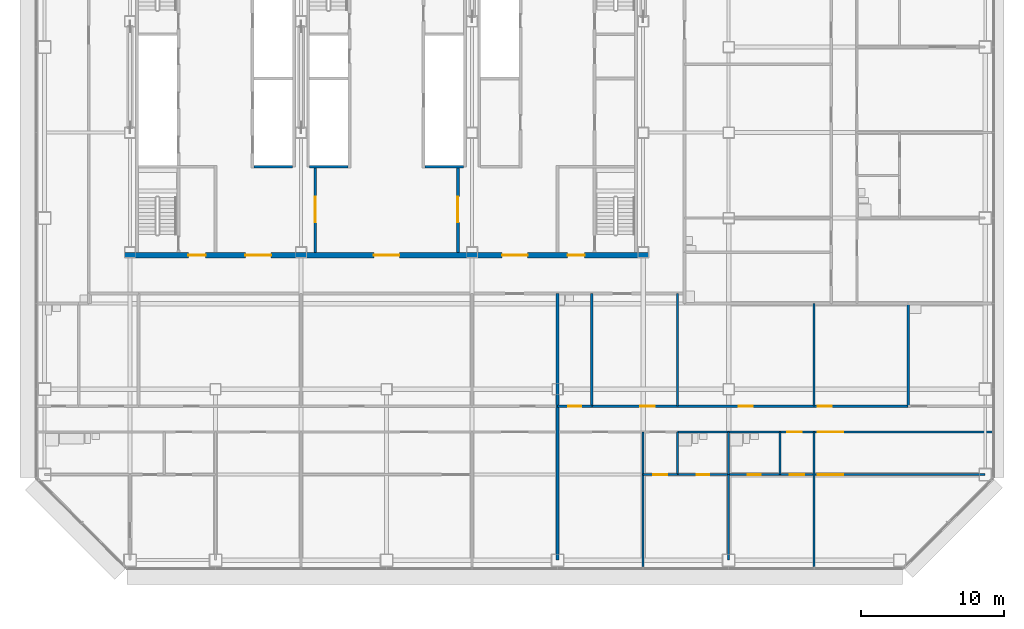
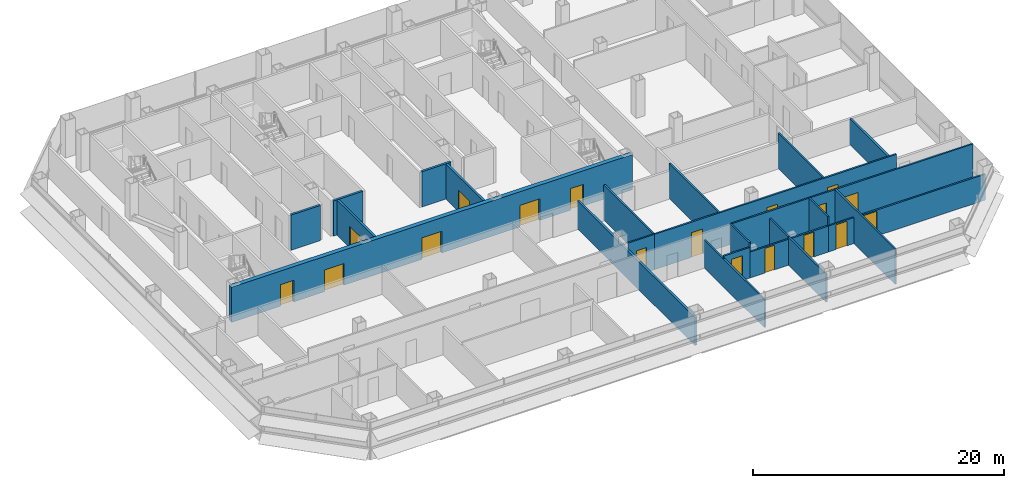
# One storey, part 21 of 27: 24 walls, 18 doors, 18 openings.
"""IFC4 building model written with IfcOpenShell, lengths in metres."""

from ifc_helpers import new_model, si_unit, direction, frame, frame_2d, origin, place, context, subcontext, project, spatial, rectangle, extrude, material, layer, layer_set, type_object, element, fill, save


model = new_model("IFC4")

# Units and contexts
model_context = context("Model", 3, precision=1e-05, world=origin(), true_north=direction((0.0, 1.0)))
body_context = subcontext(model_context, "Body", "Model", "MODEL_VIEW")
ifc_project = project(units=[si_unit("LENGTHUNIT", "METRE"), si_unit("AREAUNIT", "SQUARE_METRE"), si_unit("VOLUMEUNIT", "CUBIC_METRE"), si_unit("PLANEANGLEUNIT", "RADIAN"), si_unit("MASSUNIT", "GRAM", prefix="KILO")], contexts=[model_context])

# Site, building, storey
site_placement = place(None, origin())
site = spatial("IfcSite", under=ifc_project, at=site_placement, CompositionType="ELEMENT")
building_placement = place(site_placement, origin())
building = spatial("IfcBuilding", under=site, at=building_placement, Name="Sorahane Residences", CompositionType="ELEMENT")
storey_placement = place(building_placement, frame((0.0, 0.0, 53.39990234375)))
storey = spatial("IfcBuildingStorey", under=building, at=storey_placement, Name="L09", CompositionType="ELEMENT", Elevation=53.39990234375)

# Walls
ifc_material_1 = material(Name="Concrete blockwork C20 wall", Category="masonry")
ifc_layer_1 = layer(ifc_material_1, 0.199951171875)
ifc_layer_set_1 = layer_set([ifc_layer_1], Name="Kitchen wall 200 EI 180")
wall_type_1 = type_object("IfcWallType", Name="Kitchen wall 200 EI 180", PredefinedType="SOLIDWALL", material=ifc_layer_set_1)
wall_1_placement = place(storey_placement, frame((60.60009765625, 10.800048828125, 0.0), z_axis=(0.0, 0.0, 1.0), x_axis=(0.0, 1.0, 0.0)))
element("IfcWall", 1, at=wall_1_placement, inside=storey, type_object=wall_type_1, Name="L09 kitchen wall", PredefinedType="SOLIDWALL", context=body_context, shape_type="SweptSolid", body=[
    extrude(rectangle(XDim=7.199951171875, YDim=0.199951171875, at=frame_2d((3.60009765625, 0.0))), origin(), (0.0, 0.0, 1.0), 2.52001953125),
])
ifc_material_2 = material(Name="Concrete C30", Category="concrete")
ifc_layer_2 = layer(ifc_material_2, 0.199951171875)
ifc_layer_set_2 = layer_set([ifc_layer_2], Name="Lift shaft wall 200 EI 120")
wall_type_2 = type_object("IfcWallType", Name="Lift shaft wall 200 EI 120", PredefinedType="SOLIDWALL", material=ifc_layer_set_2)
for number, where, z_axis, x_axis, name in (
    (2, (14.699951171875, 27.60009765625, 0.0), (0.0, 0.0, 1.0), (1.0, 0.0, 0.0), "L09 lift shaft wall"),
    (3, (18.60009765625, 27.60009765625, 0.0), (0.0, 0.0, 1.0), (1.0, 0.0, 0.0), "L09 lift shaft wall"),
):
    element("IfcWall", number, at=place(storey_placement, frame(where, z_axis=z_axis, x_axis=x_axis)), inside=storey, type_object=wall_type_2, Name=name, PredefinedType="SOLIDWALL", context=body_context, shape_type="SweptSolid", body=[
        extrude(rectangle(XDim=2.699951171875, YDim=0.199951171875, at=frame_2d((1.35009765625, 0.0))), origin(), (0.0, 0.0, 1.0), 3.420166015625),
    ])
ifc_material_3 = material(Name="Gypsum board partition on steel studs", Category="steel")
ifc_layer_3 = layer(ifc_material_3, 0.14990234375)
ifc_layer_set_3 = layer_set([ifc_layer_3], Name="Partition 150 EI 90")
wall_type_3 = type_object("IfcWallType", Name="Partition 150 EI 90", PredefinedType="PARTITIONING", material=ifc_layer_set_3)
wall_2_placement = place(storey_placement, frame((42.0, -0.60009765625, 0.0), z_axis=(0.0, 0.0, 1.0), x_axis=(0.0, 1.0, 0.0)))
element("IfcWall", 4, at=wall_2_placement, inside=storey, type_object=wall_type_3, Name="L09 partition", PredefinedType="PARTITIONING", context=body_context, shape_type="SweptSolid", body=[
    extrude(rectangle(XDim=9.60009765625, YDim=0.14990234375, at=frame_2d((4.800048828125, 0.0))), origin(), (0.0, 0.0, 1.0), 2.72021484375),
])
wall_3_placement = place(storey_placement, frame((44.39990234375, 10.800048828125, 0.0), z_axis=(0.0, 0.0, 1.0), x_axis=(0.0, 1.0, 0.0)))
element("IfcWall", 5, at=wall_3_placement, inside=storey, type_object=wall_type_3, Name="L09 partition", PredefinedType="PARTITIONING", context=body_context, shape_type="SweptSolid", body=[
    extrude(rectangle(XDim=7.89990234375, YDim=0.14990234375, at=frame_2d((3.949951171875, 0.0))), origin(), (0.0, 0.0, 1.0), 3.420166015625),
])
wall_4_placement = place(storey_placement, frame((48.0, 0.0, 0.0), z_axis=(0.0, 0.0, 1.0), x_axis=(0.0, 1.0, 0.0)))
element("IfcWall", 6, at=wall_4_placement, inside=storey, type_object=wall_type_3, Name="L09 partition", PredefinedType="PARTITIONING", context=body_context, shape_type="SweptSolid", body=[
    extrude(rectangle(XDim=6.0, YDim=0.14990234375, at=frame_2d((3.0, 0.0))), origin(), (0.0, 0.0, 1.0), 2.72021484375),
])
wall_5_placement = place(storey_placement, frame((54.0, -0.60009765625, 0.0), z_axis=(0.0, 0.0, 1.0), x_axis=(0.0, 1.0, 0.0)))
element("IfcWall", 7, at=wall_5_placement, inside=storey, type_object=wall_type_3, Name="L09 partition", PredefinedType="PARTITIONING", context=body_context, shape_type="SweptSolid", body=[
    extrude(rectangle(XDim=9.60009765625, YDim=0.14990234375, at=frame_2d((4.800048828125, 0.0))), origin(), (0.0, 0.0, 1.0), 3.420166015625),
])
wall_6_placement = place(storey_placement, frame((54.0, 10.800048828125, 0.0), z_axis=(0.0, 0.0, 1.0), x_axis=(0.0, 1.0, 0.0)))
element("IfcWall", 8, at=wall_6_placement, inside=storey, type_object=wall_type_3, Name="L09 partition", PredefinedType="PARTITIONING", context=body_context, shape_type="SweptSolid", body=[
    extrude(rectangle(XDim=7.199951171875, YDim=0.14990234375, at=frame_2d((3.60009765625, 0.0))), origin(), (0.0, 0.0, 1.0), 3.420166015625),
])

# Wall, openings, doors
wall_7_placement = place(storey_placement, frame((38.39990234375, 10.800048828125, 0.0), z_axis=(0.0, 0.0, 1.0), x_axis=(1.0, 0.0, 0.0)))
wall_7 = element("IfcWall", 9, at=wall_7_placement, inside=storey, type_object=wall_type_3, Name="L09 partition", PredefinedType="PARTITIONING", context=body_context, shape_type="SweptSolid", body=[
    extrude(rectangle(XDim=22.2001953125, YDim=0.14990234375, at=frame_2d((11.10009765625, 0.0))), origin(), (0.0, 0.0, 1.0), 3.420166015625),
])
opening_1_placement = place(wall_7_placement, frame((3.39990234375, 0.0, 0.0)))
opening_1 = element("IfcOpeningElement", 10, at=opening_1_placement, cuts=wall_7, Name="Opening L09-14", PredefinedType="OPENING", context=body_context, shape_type="SweptSolid", body=[
    extrude(rectangle(XDim=1.0, YDim=2.39990234375, at=frame_2d((0.5, 1.199951171875))), frame((0.0, 0.0849609375, 0.0), z_axis=(0.0, -1.0, 0.0), x_axis=(1.0, 0.0, 0.0)), (0.0, 0.0, 1.0), 0.169921875),
])
opening_2_placement = place(wall_7_placement, frame((10.300048828125, 0.0, 0.0)))
opening_2 = element("IfcOpeningElement", 11, at=opening_2_placement, cuts=wall_7, Name="Opening L09-16", PredefinedType="OPENING", context=body_context, shape_type="SweptSolid", body=[
    extrude(rectangle(XDim=1.0, YDim=2.39990234375, at=frame_2d((0.5, 1.199951171875))), frame((0.0, 0.0849609375, 0.0), z_axis=(0.0, -1.0, 0.0), x_axis=(1.0, 0.0, 0.0)), (0.0, 0.0, 1.0), 0.169921875),
])
opening_3_placement = place(wall_7_placement, frame((15.85009765625, 0.0, 0.0)))
opening_3 = element("IfcOpeningElement", 12, at=opening_3_placement, cuts=wall_7, Name="Opening L09-17", PredefinedType="OPENING", context=body_context, shape_type="SweptSolid", body=[
    extrude(rectangle(XDim=1.0, YDim=2.39990234375, at=frame_2d((0.5, 1.199951171875))), frame((0.0, 0.0849609375, 0.0), z_axis=(0.0, -1.0, 0.0), x_axis=(1.0, 0.0, 0.0)), (0.0, 0.0, 1.0), 0.169921875),
])
ifc_material_4 = material(Name="Timber veneered fire door", Category="wood")
door_type_1 = type_object("IfcDoorType", Name="Room door 1000x2400 FD30", OperationType="NOTDEFINED", PredefinedType="DOOR", material=ifc_material_4)
door_1_placement = place(opening_1_placement, frame((1.0, 0.0, 0.0), z_axis=(0.0, 0.0, 1.0), x_axis=(-1.0, 0.0, 0.0)))
door_1 = element("IfcDoor", 13, at=door_1_placement, inside=storey, type_object=door_type_1, Name="Room door L09-14", OperationType="SINGLE_SWING_RIGHT", OverallHeight=2.39990234375, OverallWidth=1.0, PredefinedType="DOOR", context=body_context, shape_type="SweptSolid", body=[
    extrude(rectangle(XDim=1.0, YDim=2.39990234375, at=frame_2d((0.5, 1.199951171875))), frame((0.0, 0.02490234375, 0.0), z_axis=(0.0, -1.0, 0.0), x_axis=(1.0, 0.0, 0.0)), (0.0, 0.0, 1.0), 0.050048828125),
])
fill(opening_1, door_1)
door_2_placement = place(opening_2_placement, origin())
door_2 = element("IfcDoor", 14, at=door_2_placement, inside=storey, type_object=door_type_1, Name="Room door L09-16", OperationType="SINGLE_SWING_LEFT", OverallHeight=2.39990234375, OverallWidth=1.0, PredefinedType="DOOR", context=body_context, shape_type="SweptSolid", body=[
    extrude(rectangle(XDim=1.0, YDim=2.39990234375, at=frame_2d((0.5, 1.199951171875))), frame((0.0, 0.02490234375, 0.0), z_axis=(0.0, -1.0, 0.0), x_axis=(1.0, 0.0, 0.0)), (0.0, 0.0, 1.0), 0.050048828125),
])
fill(opening_2, door_2)
door_3_placement = place(opening_3_placement, origin())
door_3 = element("IfcDoor", 15, at=door_3_placement, inside=storey, type_object=door_type_1, Name="Room door L09-17", OperationType="SINGLE_SWING_RIGHT", OverallHeight=2.39990234375, OverallWidth=1.0, PredefinedType="DOOR", context=body_context, shape_type="SweptSolid", body=[
    extrude(rectangle(XDim=1.0, YDim=2.39990234375, at=frame_2d((0.5, 1.199951171875))), frame((0.0, 0.02490234375, 0.0), z_axis=(0.0, -1.0, 0.0), x_axis=(1.0, 0.0, 0.0)), (0.0, 0.0, 1.0), 0.050048828125),
])
fill(opening_3, door_3)

# Wall, opening, door
wall_8_placement = place(storey_placement, frame((42.0, 6.0, 0.0), z_axis=(0.0, 0.0, 1.0), x_axis=(1.0, 0.0, 0.0)))
wall_8 = element("IfcWall", 16, at=wall_8_placement, inside=storey, type_object=wall_type_3, Name="L09 partition", PredefinedType="PARTITIONING", context=body_context, shape_type="SweptSolid", body=[
    extrude(rectangle(XDim=2.39990234375, YDim=0.14990234375, at=frame_2d((1.199951171875, 0.0))), origin(), (0.0, 0.0, 1.0), 2.97021484375),
])
opening_4_placement = place(wall_8_placement, frame((0.699951171875, 0.0, 0.0)))
opening_4 = element("IfcOpeningElement", 17, at=opening_4_placement, cuts=wall_8, Name="Opening L09-23", PredefinedType="OPENING", context=body_context, shape_type="SweptSolid", body=[
    extrude(rectangle(XDim=1.0, YDim=2.39990234375, at=frame_2d((0.5, 1.199951171875))), frame((0.0, 0.0849609375, 0.0), z_axis=(0.0, -1.0, 0.0), x_axis=(1.0, 0.0, 0.0)), (0.0, 0.0, 1.0), 0.169921875),
])
door_4_placement = place(opening_4_placement, frame((1.0, 0.0, 0.0), z_axis=(0.0, 0.0, 1.0), x_axis=(-1.0, 0.0, 0.0)))
door_4 = element("IfcDoor", 18, at=door_4_placement, inside=storey, type_object=door_type_1, Name="Room door L09-23", OperationType="SINGLE_SWING_RIGHT", OverallHeight=2.39990234375, OverallWidth=1.0, PredefinedType="DOOR", context=body_context, shape_type="SweptSolid", body=[
    extrude(rectangle(XDim=1.0, YDim=2.39990234375, at=frame_2d((0.5, 1.199951171875))), frame((0.0, 0.02490234375, 0.0), z_axis=(0.0, -1.0, 0.0), x_axis=(1.0, 0.0, 0.0)), (0.0, 0.0, 1.0), 0.050048828125),
])
fill(opening_4, door_4)

# Wall, openings, doors
wall_9_placement = place(storey_placement, frame((51.60009765625, 6.0, 0.0), z_axis=(0.0, 0.0, 1.0), x_axis=(1.0, 0.0, 0.0)))
wall_9 = element("IfcWall", 19, at=wall_9_placement, inside=storey, type_object=wall_type_3, Name="L09 partition", PredefinedType="PARTITIONING", context=body_context, shape_type="SweptSolid", body=[
    extrude(rectangle(XDim=14.39990234375, YDim=0.14990234375, at=frame_2d((7.199951171875, 0.0))), origin(), (0.0, 0.0, 1.0), 2.52001953125),
])
opening_5_placement = place(wall_9_placement, frame((0.699951171875, 0.0, 0.0)))
opening_5 = element("IfcOpeningElement", 20, at=opening_5_placement, cuts=wall_9, Name="Opening L09-25", PredefinedType="OPENING", context=body_context, shape_type="SweptSolid", body=[
    extrude(rectangle(XDim=1.0, YDim=2.39990234375, at=frame_2d((0.5, 1.199951171875))), frame((0.0, 0.0849609375, 0.0), z_axis=(0.0, -1.0, 0.0), x_axis=(1.0, 0.0, 0.0)), (0.0, 0.0, 1.0), 0.169921875),
])
opening_6_placement = place(wall_9_placement, frame((2.64990234375, 0.0, 0.0)))
opening_6 = element("IfcOpeningElement", 21, at=opening_6_placement, cuts=wall_9, Name="Opening L09-27", PredefinedType="OPENING", context=body_context, shape_type="SweptSolid", body=[
    extrude(rectangle(XDim=1.800048828125, YDim=2.39990234375, at=frame_2d((0.89990234375, 1.199951171875))), frame((0.0, 0.0849609375, 0.0), z_axis=(0.0, -1.0, 0.0), x_axis=(1.0, 0.0, 0.0)), (0.0, 0.0, 1.0), 0.169921875),
])
ifc_material_5 = material(Name="Timber veneered fire door", Category="wood")
door_type_2 = type_object("IfcDoorType", Name="Double door 1800x2400 FD30", OperationType="NOTDEFINED", PredefinedType="DOOR", material=ifc_material_5)
door_5_placement = place(opening_6_placement, frame((1.800048828125, 0.0, 0.0), z_axis=(0.0, 0.0, 1.0), x_axis=(-1.0, 0.0, 0.0)))
door_5 = element("IfcDoor", 22, at=door_5_placement, inside=storey, type_object=door_type_2, Name="Double door L09-27", OperationType="SINGLE_SWING_RIGHT", OverallHeight=2.39990234375, OverallWidth=1.800048828125, PredefinedType="DOOR", context=body_context, shape_type="SweptSolid", body=[
    extrude(rectangle(XDim=1.800048828125, YDim=2.39990234375, at=frame_2d((0.89990234375, 1.199951171875))), frame((0.0, 0.02490234375, 0.0), z_axis=(0.0, -1.0, 0.0), x_axis=(1.0, 0.0, 0.0)), (0.0, 0.0, 1.0), 0.050048828125),
])
fill(opening_6, door_5)
door_6_placement = place(opening_5_placement, frame((1.0, 0.0, 0.0), z_axis=(0.0, 0.0, 1.0), x_axis=(-1.0, 0.0, 0.0)))
door_6 = element("IfcDoor", 23, at=door_6_placement, inside=storey, type_object=door_type_1, Name="Room door L09-25", OperationType="SINGLE_SWING_RIGHT", OverallHeight=2.39990234375, OverallWidth=1.0, PredefinedType="DOOR", context=body_context, shape_type="SweptSolid", body=[
    extrude(rectangle(XDim=1.0, YDim=2.39990234375, at=frame_2d((0.5, 1.199951171875))), frame((0.0, 0.02490234375, 0.0), z_axis=(0.0, -1.0, 0.0), x_axis=(1.0, 0.0, 0.0)), (0.0, 0.0, 1.0), 0.050048828125),
])
fill(opening_5, door_6)

wall_10_placement = place(storey_placement, frame((51.60009765625, 9.0, 0.0), z_axis=(0.0, 0.0, 1.0), x_axis=(1.0, 0.0, 0.0)))
wall_10 = element("IfcWall", 24, at=wall_10_placement, inside=storey, type_object=wall_type_3, Name="L09 partition", PredefinedType="PARTITIONING", context=body_context, shape_type="SweptSolid", body=[
    extrude(rectangle(XDim=15.0, YDim=0.14990234375, at=frame_2d((7.5, 0.0))), origin(), (0.0, 0.0, 1.0), 3.420166015625),
])
opening_7_placement = place(wall_10_placement, frame((0.52001953125, 0.0, 0.0)))
opening_7 = element("IfcOpeningElement", 25, at=opening_7_placement, cuts=wall_10, Name="Opening L09-21", PredefinedType="OPENING", context=body_context, shape_type="SweptSolid", body=[
    extrude(rectangle(XDim=1.0, YDim=2.39990234375, at=frame_2d((0.5, 1.199951171875))), frame((0.0, 0.0849609375, 0.0), z_axis=(0.0, -1.0, 0.0), x_axis=(1.0, 0.0, 0.0)), (0.0, 0.0, 1.0), 0.169921875),
])
opening_8_placement = place(wall_10_placement, frame((2.64990234375, 0.0, 0.0)))
opening_8 = element("IfcOpeningElement", 26, at=opening_8_placement, cuts=wall_10, Name="Opening L09-22", PredefinedType="OPENING", context=body_context, shape_type="SweptSolid", body=[
    extrude(rectangle(XDim=1.800048828125, YDim=2.39990234375, at=frame_2d((0.89990234375, 1.199951171875))), frame((0.0, 0.0849609375, 0.0), z_axis=(0.0, -1.0, 0.0), x_axis=(1.0, 0.0, 0.0)), (0.0, 0.0, 1.0), 0.169921875),
])
door_7_placement = place(opening_8_placement, frame((1.800048828125, 0.0, 0.0), z_axis=(0.0, 0.0, 1.0), x_axis=(-1.0, 0.0, 0.0)))
door_7 = element("IfcDoor", 27, at=door_7_placement, inside=storey, type_object=door_type_2, Name="Double door L09-22", OperationType="SINGLE_SWING_LEFT", OverallHeight=2.39990234375, OverallWidth=1.800048828125, PredefinedType="DOOR", context=body_context, shape_type="SweptSolid", body=[
    extrude(rectangle(XDim=1.800048828125, YDim=2.39990234375, at=frame_2d((0.89990234375, 1.199951171875))), frame((0.0, 0.02490234375, 0.0), z_axis=(0.0, -1.0, 0.0), x_axis=(1.0, 0.0, 0.0)), (0.0, 0.0, 1.0), 0.050048828125),
])
fill(opening_8, door_7)
door_8_placement = place(opening_7_placement, frame((1.0, 0.0, 0.0), z_axis=(0.0, 0.0, 1.0), x_axis=(-1.0, 0.0, 0.0)))
door_8 = element("IfcDoor", 28, at=door_8_placement, inside=storey, type_object=door_type_1, Name="Room door L09-21", OperationType="SINGLE_SWING_RIGHT", OverallHeight=2.39990234375, OverallWidth=1.0, PredefinedType="DOOR", context=body_context, shape_type="SweptSolid", body=[
    extrude(rectangle(XDim=1.0, YDim=2.39990234375, at=frame_2d((0.5, 1.199951171875))), frame((0.0, 0.02490234375, 0.0), z_axis=(0.0, -1.0, 0.0), x_axis=(1.0, 0.0, 0.0)), (0.0, 0.0, 1.0), 0.050048828125),
])
fill(opening_7, door_8)

# Walls
ifc_material_6 = material(Name="Concrete blockwork C20 wall", Category="masonry")
ifc_layer_4 = layer(ifc_material_6, 0.199951171875)
ifc_layer_set_4 = layer_set([ifc_layer_4], Name="Party wall 200 EI 120")
wall_type_4 = type_object("IfcWallType", Name="Party wall 200 EI 120", PredefinedType="SOLIDWALL", material=ifc_layer_set_4)
wall_11_placement = place(storey_placement, frame((36.0, 0.0, 0.0), z_axis=(0.0, 0.0, 1.0), x_axis=(0.0, 1.0, 0.0)))
element("IfcWall", 29, at=wall_11_placement, inside=storey, type_object=wall_type_4, Name="L09 party wall", PredefinedType="SOLIDWALL", context=body_context, shape_type="SweptSolid", body=[
    extrude(rectangle(XDim=18.699951171875, YDim=0.199951171875, at=frame_2d((9.35009765625, 0.0))), origin(), (0.0, 0.0, 1.0), 2.72021484375),
])
ifc_material_7 = material(Name="Concrete C30", Category="concrete")
ifc_layer_5 = layer(ifc_material_7, 0.199951171875)
ifc_layer_set_5 = layer_set([ifc_layer_5], Name="Riser shaft wall 200 EI 120")
wall_type_5 = type_object("IfcWallType", Name="Riser shaft wall 200 EI 120", PredefinedType="SOLIDWALL", material=ifc_layer_set_5)
wall_12_placement = place(storey_placement, frame((26.699951171875, 27.60009765625, 0.0), z_axis=(0.0, 0.0, 1.0), x_axis=(1.0, 0.0, 0.0)))
element("IfcWall", 30, at=wall_12_placement, inside=storey, type_object=wall_type_5, Name="L09 riser wall", PredefinedType="SOLIDWALL", context=body_context, shape_type="SweptSolid", body=[
    extrude(rectangle(XDim=2.699951171875, YDim=0.199951171875, at=frame_2d((1.35009765625, 0.0))), origin(), (0.0, 0.0, 1.0), 3.420166015625),
])

# Wall, opening, door
ifc_material_8 = material(Name="Concrete C30", Category="concrete")
ifc_layer_6 = layer(ifc_material_8, 0.199951171875)
ifc_layer_set_6 = layer_set([ifc_layer_6], Name="Service room partition 200 EI 60")
wall_type_6 = type_object("IfcWallType", Name="Service room partition 200 EI 60", PredefinedType="PARTITIONING", material=ifc_layer_set_6)
wall_13_placement = place(storey_placement, frame((19.0, 21.60009765625, 0.0), z_axis=(0.0, 0.0, 1.0), x_axis=(0.0, 1.0, 0.0)))
wall_13 = element("IfcWall", 31, at=wall_13_placement, inside=storey, type_object=wall_type_6, Name="L09 service room wall", PredefinedType="PARTITIONING", context=body_context, shape_type="SweptSolid", body=[
    extrude(rectangle(XDim=6.0, YDim=0.199951171875, at=frame_2d((3.0, 0.0))), origin(), (0.0, 0.0, 1.0), 3.420166015625),
])
opening_9_placement = place(wall_13_placement, frame((2.10009765625, 0.0, 0.0)))
opening_9 = element("IfcOpeningElement", 32, at=opening_9_placement, cuts=wall_13, Name="Opening L09-C02", PredefinedType="OPENING", context=body_context, shape_type="SweptSolid", body=[
    extrude(rectangle(XDim=1.800048828125, YDim=2.10009765625, at=frame_2d((0.89990234375, 1.050048828125))), frame((0.0, 0.10986328125, 0.0), z_axis=(0.0, -1.0, 0.0), x_axis=(1.0, 0.0, 0.0)), (0.0, 0.0, 1.0), 0.219970703125),
])
ifc_material_9 = material(Name="Steel", Category="steel")
door_type_3 = type_object("IfcDoorType", Name="Waiting hall door 1800x2100 FD60", OperationType="NOTDEFINED", PredefinedType="DOOR", material=ifc_material_9)
door_9_placement = place(opening_9_placement, origin())
door_9 = element("IfcDoor", 33, at=door_9_placement, inside=storey, type_object=door_type_3, Name="Waiting hall door Residents' waiting hall west L09", OperationType="SINGLE_SWING_LEFT", OverallHeight=2.10009765625, OverallWidth=1.800048828125, PredefinedType="DOOR", context=body_context, shape_type="SweptSolid", body=[
    extrude(rectangle(XDim=1.800048828125, YDim=2.10009765625, at=frame_2d((0.89990234375, 1.050048828125))), frame((0.0, 0.02490234375, 0.0), z_axis=(0.0, -1.0, 0.0), x_axis=(1.0, 0.0, 0.0)), (0.0, 0.0, 1.0), 0.050048828125),
])
fill(opening_9, door_9)

wall_14_placement = place(storey_placement, frame((29.0, 21.60009765625, 0.0), z_axis=(0.0, 0.0, 1.0), x_axis=(0.0, 1.0, 0.0)))
wall_14 = element("IfcWall", 34, at=wall_14_placement, inside=storey, type_object=wall_type_6, Name="L09 service room wall", PredefinedType="PARTITIONING", context=body_context, shape_type="SweptSolid", body=[
    extrude(rectangle(XDim=6.0, YDim=0.199951171875, at=frame_2d((3.0, 0.0))), origin(), (0.0, 0.0, 1.0), 3.420166015625),
])
opening_10_placement = place(wall_14_placement, frame((2.10009765625, 0.0, 0.0)))
opening_10 = element("IfcOpeningElement", 35, at=opening_10_placement, cuts=wall_14, Name="Opening L09-C04", PredefinedType="OPENING", context=body_context, shape_type="SweptSolid", body=[
    extrude(rectangle(XDim=1.800048828125, YDim=2.10009765625, at=frame_2d((0.89990234375, 1.050048828125))), frame((0.0, 0.10986328125, 0.0), z_axis=(0.0, -1.0, 0.0), x_axis=(1.0, 0.0, 0.0)), (0.0, 0.0, 1.0), 0.219970703125),
])
door_10_placement = place(opening_10_placement, origin())
door_10 = element("IfcDoor", 36, at=door_10_placement, inside=storey, type_object=door_type_3, Name="Waiting hall door Residents' waiting hall centre L09", OperationType="SINGLE_SWING_LEFT", OverallHeight=2.10009765625, OverallWidth=1.800048828125, PredefinedType="DOOR", context=body_context, shape_type="SweptSolid", body=[
    extrude(rectangle(XDim=1.800048828125, YDim=2.10009765625, at=frame_2d((0.89990234375, 1.050048828125))), frame((0.0, 0.02490234375, 0.0), z_axis=(0.0, -1.0, 0.0), x_axis=(1.0, 0.0, 0.0)), (0.0, 0.0, 1.0), 0.050048828125),
])
fill(opening_10, door_10)

# Wall, openings, doors
ifc_material_10 = material(Name="Concrete C30", Category="concrete")
ifc_layer_7 = layer(ifc_material_10, 0.39990234375)
ifc_layer_set_7 = layer_set([ifc_layer_7], Name="Waiting hall wall 400 EI 120")
wall_type_7 = type_object("IfcWallType", Name="Waiting hall wall 400 EI 120", PredefinedType="SOLIDWALL", material=ifc_layer_set_7)
wall_15_placement = place(storey_placement, frame((5.60009765625, 21.39990234375, 0.0), z_axis=(0.0, 0.0, 1.0), x_axis=(1.0, 0.0, 0.0)))
wall_15 = element("IfcWall", 37, at=wall_15_placement, inside=storey, type_object=wall_type_7, Name="L09 waiting hall wall", PredefinedType="SOLIDWALL", context=body_context, shape_type="SweptSolid", body=[
    extrude(rectangle(XDim=36.7998046875, YDim=0.39990234375, at=frame_2d((18.39990234375, 0.0))), origin(), (0.0, 0.0, 1.0), 3.420166015625),
])
opening_11_placement = place(wall_15_placement, frame((8.5, 0.0, 0.0)))
opening_11 = element("IfcOpeningElement", 38, at=opening_11_placement, cuts=wall_15, Name="Opening L09-C01", PredefinedType="OPENING", context=body_context, shape_type="SweptSolid", body=[
    extrude(rectangle(XDim=1.800048828125, YDim=2.10009765625, at=frame_2d((0.89990234375, 1.050048828125))), frame((0.0, 0.2099609375, 0.0), z_axis=(0.0, -1.0, 0.0), x_axis=(1.0, 0.0, 0.0)), (0.0, 0.0, 1.0), 0.419921875),
])
opening_12_placement = place(wall_15_placement, frame((17.5, 0.0, 0.0)))
opening_12 = element("IfcOpeningElement", 39, at=opening_12_placement, cuts=wall_15, Name="Opening L09-C03", PredefinedType="OPENING", context=body_context, shape_type="SweptSolid", body=[
    extrude(rectangle(XDim=1.800048828125, YDim=2.10009765625, at=frame_2d((0.89990234375, 1.050048828125))), frame((0.0, 0.2099609375, 0.0), z_axis=(0.0, -1.0, 0.0), x_axis=(1.0, 0.0, 0.0)), (0.0, 0.0, 1.0), 0.419921875),
])
opening_13_placement = place(wall_15_placement, frame((26.5, 0.0, 0.0)))
opening_13 = element("IfcOpeningElement", 40, at=opening_13_placement, cuts=wall_15, Name="Opening L09-C05", PredefinedType="OPENING", context=body_context, shape_type="SweptSolid", body=[
    extrude(rectangle(XDim=1.800048828125, YDim=2.10009765625, at=frame_2d((0.89990234375, 1.050048828125))), frame((0.0, 0.2099609375, 0.0), z_axis=(0.0, -1.0, 0.0), x_axis=(1.0, 0.0, 0.0)), (0.0, 0.0, 1.0), 0.419921875),
])
opening_14_placement = place(wall_15_placement, frame((4.5, 0.0, 0.0)))
opening_14 = element("IfcOpeningElement", 41, at=opening_14_placement, cuts=wall_15, Name="Opening L09-C06", PredefinedType="OPENING", context=body_context, shape_type="SweptSolid", body=[
    extrude(rectangle(XDim=1.199951171875, YDim=2.10009765625, at=frame_2d((0.60009765625, 1.050048828125))), frame((0.0, 0.2099609375, 0.0), z_axis=(0.0, -1.0, 0.0), x_axis=(1.0, 0.0, 0.0)), (0.0, 0.0, 1.0), 0.419921875),
])
opening_15_placement = place(wall_15_placement, frame((31.10009765625, 0.0, 0.0)))
opening_15 = element("IfcOpeningElement", 42, at=opening_15_placement, cuts=wall_15, Name="Opening L09-C07", PredefinedType="OPENING", context=body_context, shape_type="SweptSolid", body=[
    extrude(rectangle(XDim=1.199951171875, YDim=2.10009765625, at=frame_2d((0.60009765625, 1.050048828125))), frame((0.0, 0.2099609375, 0.0), z_axis=(0.0, -1.0, 0.0), x_axis=(1.0, 0.0, 0.0)), (0.0, 0.0, 1.0), 0.419921875),
])
ifc_material_11 = material(Name="Steel", Category="steel")
door_type_4 = type_object("IfcDoorType", Name="Stair front room door 1200x2100 FD120", OperationType="NOTDEFINED", PredefinedType="DOOR", material=ifc_material_11)
door_11_placement = place(opening_14_placement, frame((1.199951171875, 0.0, 0.0), z_axis=(0.0, 0.0, 1.0), x_axis=(-1.0, 0.0, 0.0)))
door_11 = element("IfcDoor", 43, at=door_11_placement, inside=storey, type_object=door_type_4, Name="Stair front room door Stair S4 front room L09", OperationType="SINGLE_SWING_LEFT", OverallHeight=2.10009765625, OverallWidth=1.199951171875, PredefinedType="DOOR", context=body_context, shape_type="SweptSolid", body=[
    extrude(rectangle(XDim=1.199951171875, YDim=2.10009765625, at=frame_2d((0.60009765625, 1.050048828125))), frame((0.0, 0.02490234375, 0.0), z_axis=(0.0, -1.0, 0.0), x_axis=(1.0, 0.0, 0.0)), (0.0, 0.0, 1.0), 0.050048828125),
])
fill(opening_14, door_11)
door_12_placement = place(opening_15_placement, frame((1.199951171875, 0.0, 0.0), z_axis=(0.0, 0.0, 1.0), x_axis=(-1.0, 0.0, 0.0)))
door_12 = element("IfcDoor", 44, at=door_12_placement, inside=storey, type_object=door_type_4, Name="Stair front room door Stair S5 front room L09", OperationType="SINGLE_SWING_LEFT", OverallHeight=2.10009765625, OverallWidth=1.199951171875, PredefinedType="DOOR", context=body_context, shape_type="SweptSolid", body=[
    extrude(rectangle(XDim=1.199951171875, YDim=2.10009765625, at=frame_2d((0.60009765625, 1.050048828125))), frame((0.0, 0.02490234375, 0.0), z_axis=(0.0, -1.0, 0.0), x_axis=(1.0, 0.0, 0.0)), (0.0, 0.0, 1.0), 0.050048828125),
])
fill(opening_15, door_12)
door_13_placement = place(opening_11_placement, frame((1.800048828125, 0.0, 0.0), z_axis=(0.0, 0.0, 1.0), x_axis=(-1.0, 0.0, 0.0)))
door_13 = element("IfcDoor", 45, at=door_13_placement, inside=storey, type_object=door_type_3, Name="Waiting hall door Residents' waiting hall west L09", OperationType="SINGLE_SWING_LEFT", OverallHeight=2.10009765625, OverallWidth=1.800048828125, PredefinedType="DOOR", context=body_context, shape_type="SweptSolid", body=[
    extrude(rectangle(XDim=1.800048828125, YDim=2.10009765625, at=frame_2d((0.89990234375, 1.050048828125))), frame((0.0, 0.02490234375, 0.0), z_axis=(0.0, -1.0, 0.0), x_axis=(1.0, 0.0, 0.0)), (0.0, 0.0, 1.0), 0.050048828125),
])
fill(opening_11, door_13)
door_14_placement = place(opening_12_placement, frame((1.800048828125, 0.0, 0.0), z_axis=(0.0, 0.0, 1.0), x_axis=(-1.0, 0.0, 0.0)))
door_14 = element("IfcDoor", 46, at=door_14_placement, inside=storey, type_object=door_type_3, Name="Waiting hall door Residents' waiting hall centre L09", OperationType="SINGLE_SWING_LEFT", OverallHeight=2.10009765625, OverallWidth=1.800048828125, PredefinedType="DOOR", context=body_context, shape_type="SweptSolid", body=[
    extrude(rectangle(XDim=1.800048828125, YDim=2.10009765625, at=frame_2d((0.89990234375, 1.050048828125))), frame((0.0, 0.02490234375, 0.0), z_axis=(0.0, -1.0, 0.0), x_axis=(1.0, 0.0, 0.0)), (0.0, 0.0, 1.0), 0.050048828125),
])
fill(opening_12, door_14)
door_15_placement = place(opening_13_placement, frame((1.800048828125, 0.0, 0.0), z_axis=(0.0, 0.0, 1.0), x_axis=(-1.0, 0.0, 0.0)))
door_15 = element("IfcDoor", 47, at=door_15_placement, inside=storey, type_object=door_type_3, Name="Waiting hall door Residents' waiting hall east L09", OperationType="SINGLE_SWING_LEFT", OverallHeight=2.10009765625, OverallWidth=1.800048828125, PredefinedType="DOOR", context=body_context, shape_type="SweptSolid", body=[
    extrude(rectangle(XDim=1.800048828125, YDim=2.10009765625, at=frame_2d((0.89990234375, 1.050048828125))), frame((0.0, 0.02490234375, 0.0), z_axis=(0.0, -1.0, 0.0), x_axis=(1.0, 0.0, 0.0)), (0.0, 0.0, 1.0), 0.050048828125),
])
fill(opening_13, door_15)

# Walls
ifc_material_12 = material(Name="Gypsum board partition on steel studs", Category="steel")
ifc_layer_8 = layer(ifc_material_12, 0.14990234375)
ifc_layer_set_8 = layer_set([ifc_layer_8], Name="Wet wall 150 EI 90")
wall_type_8 = type_object("IfcWallType", Name="Wet wall 150 EI 90", PredefinedType="PARTITIONING", material=ifc_layer_set_8)
wall_16_placement = place(storey_placement, frame((38.39990234375, 10.800048828125, 0.0), z_axis=(0.0, 0.0, 1.0), x_axis=(0.0, 1.0, 0.0)))
element("IfcWall", 48, at=wall_16_placement, inside=storey, type_object=wall_type_8, Name="L09 wet wall", PredefinedType="PARTITIONING", context=body_context, shape_type="SweptSolid", body=[
    extrude(rectangle(XDim=7.89990234375, YDim=0.14990234375, at=frame_2d((3.949951171875, 0.0))), origin(), (0.0, 0.0, 1.0), 3.420166015625),
])
wall_17_placement = place(storey_placement, frame((44.39990234375, 6.0, 0.0), z_axis=(0.0, 0.0, 1.0), x_axis=(0.0, 1.0, 0.0)))
element("IfcWall", 49, at=wall_17_placement, inside=storey, type_object=wall_type_8, Name="L09 wet wall", PredefinedType="PARTITIONING", context=body_context, shape_type="SweptSolid", body=[
    extrude(rectangle(XDim=3.0, YDim=0.14990234375, at=frame_2d((1.5, 0.0))), origin(), (0.0, 0.0, 1.0), 3.420166015625),
])
wall_18_placement = place(storey_placement, frame((48.0, 6.0, 0.0), z_axis=(0.0, 0.0, 1.0), x_axis=(0.0, 1.0, 0.0)))
element("IfcWall", 50, at=wall_18_placement, inside=storey, type_object=wall_type_8, Name="L09 wet wall", PredefinedType="PARTITIONING", context=body_context, shape_type="SweptSolid", body=[
    extrude(rectangle(XDim=3.0, YDim=0.14990234375, at=frame_2d((1.5, 0.0))), origin(), (0.0, 0.0, 1.0), 2.72021484375),
])
wall_19_placement = place(storey_placement, frame((51.60009765625, 6.0, 0.0), z_axis=(0.0, 0.0, 1.0), x_axis=(0.0, 1.0, 0.0)))
element("IfcWall", 51, at=wall_19_placement, inside=storey, type_object=wall_type_8, Name="L09 wet wall", PredefinedType="PARTITIONING", context=body_context, shape_type="SweptSolid", body=[
    extrude(rectangle(XDim=3.0, YDim=0.14990234375, at=frame_2d((1.5, 0.0))), origin(), (0.0, 0.0, 1.0), 3.420166015625),
])

# Wall, opening, door
wall_20_placement = place(storey_placement, frame((36.0, 10.800048828125, 0.0), z_axis=(0.0, 0.0, 1.0), x_axis=(1.0, 0.0, 0.0)))
wall_20 = element("IfcWall", 52, at=wall_20_placement, inside=storey, type_object=wall_type_8, Name="L09 wet wall", PredefinedType="PARTITIONING", context=body_context, shape_type="SweptSolid", body=[
    extrude(rectangle(XDim=2.39990234375, YDim=0.14990234375, at=frame_2d((1.199951171875, 0.0))), origin(), (0.0, 0.0, 1.0), 3.420166015625),
])
opening_16_placement = place(wall_20_placement, frame((0.75, 0.0, 0.0)))
opening_16 = element("IfcOpeningElement", 53, at=opening_16_placement, cuts=wall_20, Name="Opening L09-15", PredefinedType="OPENING", context=body_context, shape_type="SweptSolid", body=[
    extrude(rectangle(XDim=0.89990234375, YDim=2.39990234375, at=frame_2d((0.449951171875, 1.199951171875))), frame((0.0, 0.0849609375, 0.0), z_axis=(0.0, -1.0, 0.0), x_axis=(1.0, 0.0, 0.0)), (0.0, 0.0, 1.0), 0.169921875),
])
ifc_material_13 = material(Name="Timber veneered fire door", Category="wood")
door_type_5 = type_object("IfcDoorType", Name="Bathroom door 900x2400 FD30", OperationType="NOTDEFINED", PredefinedType="DOOR", material=ifc_material_13)
door_16_placement = place(opening_16_placement, frame((0.89990234375, 0.0, 0.0), z_axis=(0.0, 0.0, 1.0), x_axis=(-1.0, 0.0, 0.0)))
door_16 = element("IfcDoor", 54, at=door_16_placement, inside=storey, type_object=door_type_5, Name="Bathroom door L09-15", OperationType="SINGLE_SWING_RIGHT", OverallHeight=2.39990234375, OverallWidth=0.89990234375, PredefinedType="DOOR", context=body_context, shape_type="SweptSolid", body=[
    extrude(rectangle(XDim=0.89990234375, YDim=2.39990234375, at=frame_2d((0.449951171875, 1.199951171875))), frame((0.0, 0.02490234375, 0.0), z_axis=(0.0, -1.0, 0.0), x_axis=(1.0, 0.0, 0.0)), (0.0, 0.0, 1.0), 0.050048828125),
])
fill(opening_16, door_16)

# Wall, openings, doors
wall_21_placement = place(storey_placement, frame((44.39990234375, 6.0, 0.0), z_axis=(0.0, 0.0, 1.0), x_axis=(1.0, 0.0, 0.0)))
wall_21 = element("IfcWall", 55, at=wall_21_placement, inside=storey, type_object=wall_type_8, Name="L09 wet wall", PredefinedType="PARTITIONING", context=body_context, shape_type="SweptSolid", body=[
    extrude(rectangle(XDim=7.2001953125, YDim=0.14990234375, at=frame_2d((3.60009765625, 0.0))), origin(), (0.0, 0.0, 1.0), 2.52001953125),
])
opening_17_placement = place(wall_21_placement, frame((1.35009765625, 0.0, 0.0)))
opening_17 = element("IfcOpeningElement", 56, at=opening_17_placement, cuts=wall_21, Name="Opening L09-24", PredefinedType="OPENING", context=body_context, shape_type="SweptSolid", body=[
    extrude(rectangle(XDim=0.89990234375, YDim=2.39990234375, at=frame_2d((0.449951171875, 1.199951171875))), frame((0.0, 0.0849609375, 0.0), z_axis=(0.0, -1.0, 0.0), x_axis=(1.0, 0.0, 0.0)), (0.0, 0.0, 1.0), 0.169921875),
])
opening_18_placement = place(wall_21_placement, frame((4.949951171875, 0.0, 0.0)))
opening_18 = element("IfcOpeningElement", 57, at=opening_18_placement, cuts=wall_21, Name="Opening L09-26", PredefinedType="OPENING", context=body_context, shape_type="SweptSolid", body=[
    extrude(rectangle(XDim=0.89990234375, YDim=2.39990234375, at=frame_2d((0.449951171875, 1.199951171875))), frame((0.0, 0.0849609375, 0.0), z_axis=(0.0, -1.0, 0.0), x_axis=(1.0, 0.0, 0.0)), (0.0, 0.0, 1.0), 0.169921875),
])
door_17_placement = place(opening_17_placement, frame((0.89990234375, 0.0, 0.0), z_axis=(0.0, 0.0, 1.0), x_axis=(-1.0, 0.0, 0.0)))
door_17 = element("IfcDoor", 58, at=door_17_placement, inside=storey, type_object=door_type_5, Name="Bathroom door L09-24", OperationType="SINGLE_SWING_LEFT", OverallHeight=2.39990234375, OverallWidth=0.89990234375, PredefinedType="DOOR", context=body_context, shape_type="SweptSolid", body=[
    extrude(rectangle(XDim=0.89990234375, YDim=2.39990234375, at=frame_2d((0.449951171875, 1.199951171875))), frame((0.0, 0.02490234375, 0.0), z_axis=(0.0, -1.0, 0.0), x_axis=(1.0, 0.0, 0.0)), (0.0, 0.0, 1.0), 0.050048828125),
])
fill(opening_17, door_17)
door_18_placement = place(opening_18_placement, frame((0.89990234375, 0.0, 0.0), z_axis=(0.0, 0.0, 1.0), x_axis=(-1.0, 0.0, 0.0)))
door_18 = element("IfcDoor", 59, at=door_18_placement, inside=storey, type_object=door_type_5, Name="Bathroom door L09-26", OperationType="SINGLE_SWING_LEFT", OverallHeight=2.39990234375, OverallWidth=0.89990234375, PredefinedType="DOOR", context=body_context, shape_type="SweptSolid", body=[
    extrude(rectangle(XDim=0.89990234375, YDim=2.39990234375, at=frame_2d((0.449951171875, 1.199951171875))), frame((0.0, 0.02490234375, 0.0), z_axis=(0.0, -1.0, 0.0), x_axis=(1.0, 0.0, 0.0)), (0.0, 0.0, 1.0), 0.050048828125),
])
fill(opening_18, door_18)

# Wall
wall_22_placement = place(storey_placement, frame((44.39990234375, 9.0, 0.0), z_axis=(0.0, 0.0, 1.0), x_axis=(1.0, 0.0, 0.0)))
element("IfcWall", 60, at=wall_22_placement, inside=storey, type_object=wall_type_8, Name="L09 wet wall", PredefinedType="PARTITIONING", context=body_context, shape_type="SweptSolid", body=[
    extrude(rectangle(XDim=7.2001953125, YDim=0.14990234375, at=frame_2d((3.60009765625, 0.0))), origin(), (0.0, 0.0, 1.0), 3.420166015625),
])

save(model, "model.ifc")
